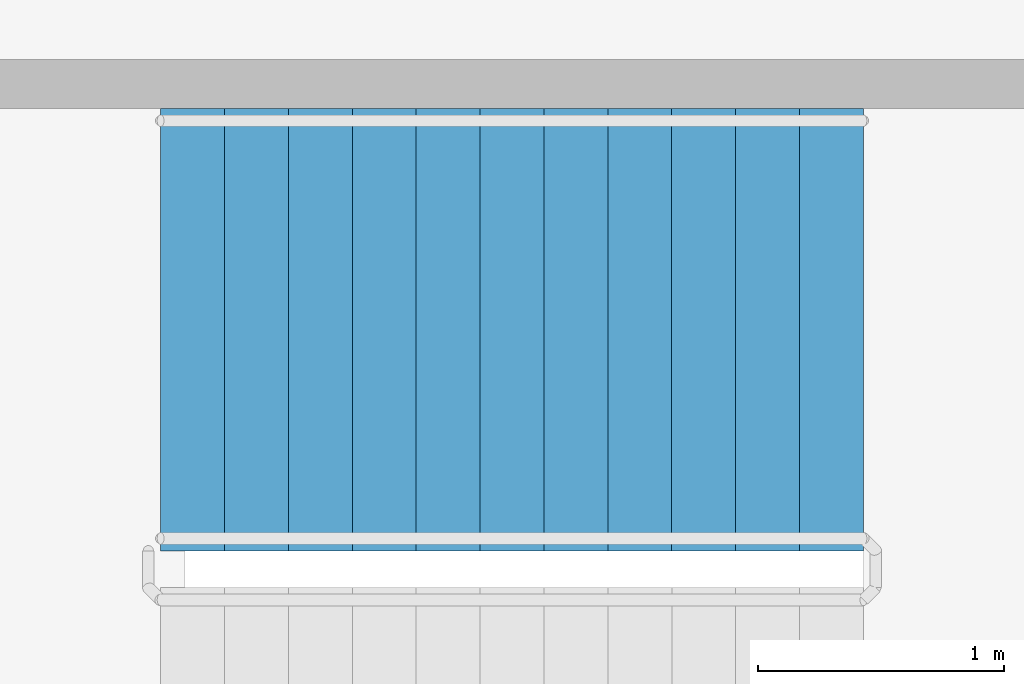
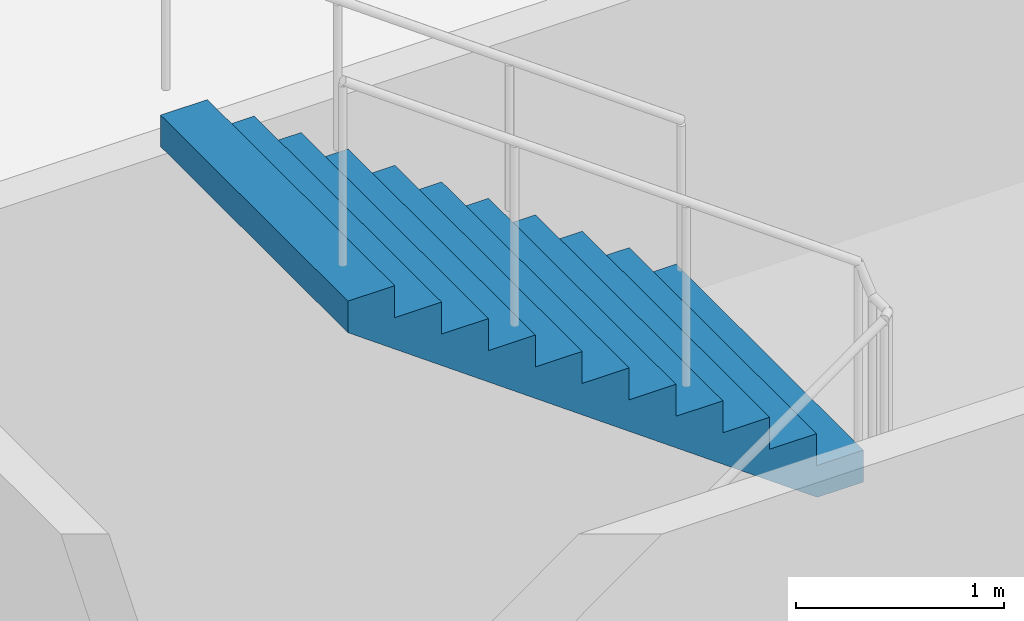
# One storey, part 30 of 49: 1 stair flight, 1 element without a shape of its own.
"""IFC4 building model written with IfcOpenShell, lengths in metres."""

from ifc_helpers import new_model, si_unit, direction, frame, origin, place, context, subcontext, project, spatial, faceted_brep, material, type_object, element, aggregate, save


model = new_model("IFC4")

# Units and contexts
model_context = context("Model", 3, precision=1e-05, world=origin(), true_north=direction((0.0, 1.0)))
body_context = subcontext(model_context, "Body", "Model", "MODEL_VIEW")
ifc_project = project(units=[si_unit("LENGTHUNIT", "METRE"), si_unit("AREAUNIT", "SQUARE_METRE"), si_unit("VOLUMEUNIT", "CUBIC_METRE"), si_unit("PLANEANGLEUNIT", "RADIAN"), si_unit("MASSUNIT", "GRAM", prefix="KILO")], contexts=[model_context])

# Site, building, storey
site_placement = place(None, origin())
site = spatial("IfcSite", under=ifc_project, at=site_placement, CompositionType="ELEMENT")
building_placement = place(site_placement, origin())
building = spatial("IfcBuilding", under=site, at=building_placement, Name="Ipe Terrace Towers", CompositionType="ELEMENT")
storey_placement = place(building_placement, frame((0.0, 0.0, 20.0)))
storey = spatial("IfcBuildingStorey", under=building, at=storey_placement, Name="L04", CompositionType="ELEMENT", Elevation=20.0)

# Stair, stair flight
ifc_material_1 = material(Name="Concrete C30/37", Category="concrete")
stair_type = type_object("IfcStairType", Name="Protected exit stair", PredefinedType="HALF_TURN_STAIR", material=ifc_material_1)
stair_placement = place(storey_placement, origin())
stair = element("IfcStair", 1, at=stair_placement, inside=storey, type_object=stair_type, Name="L04 Podium exit stair PS7", PredefinedType="HALF_TURN_STAIR")
ifc_material_2 = material(Name="Concrete C30/37", Category="concrete")
stair_flight_type = type_object("IfcStairFlightType", Name="Exit stair flight 1800", PredefinedType="STRAIGHT", material=ifc_material_2)
stair_flight_placement = place(storey_placement, frame((-63.330078125, 4.449951171875, 2.25), z_axis=(0.0, 0.0, 1.0), x_axis=(-1.0, 0.0, 0.0)))
stair_flight = element("IfcStairFlight", 2, at=stair_flight_placement, type_object=stair_flight_type, Name="PS7 flight 2", NumberOfRisers=12, NumberOfTreads=11, PredefinedType="STRAIGHT", RiserHeight=0.1875, TreadLength=0.26, context=body_context, shape_type="Brep", body=[
    faceted_brep([(0.25634765625, -0.89990234375, 0.0), (2.860107421875, -0.89990234375, 1.877685546875), (2.860107421875, -0.89990234375, 2.0625), (2.60009765625, -0.89990234375, 2.0625), (2.60009765625, -0.89990234375, 1.875), (2.340087890625, -0.89990234375, 1.875), (2.340087890625, -0.89990234375, 1.6875), (2.080078125, -0.89990234375, 1.6875), (2.080078125, -0.89990234375, 1.5), (1.820068359375, -0.89990234375, 1.5), (1.820068359375, -0.89990234375, 1.3125), (1.56005859375, -0.89990234375, 1.3125), (1.56005859375, -0.89990234375, 1.125), (1.300048828125, -0.89990234375, 1.125), (1.300048828125, -0.89990234375, 0.9375), (1.0400390625, -0.89990234375, 0.9375), (1.0400390625, -0.89990234375, 0.75), (0.780029296875, -0.89990234375, 0.75), (0.780029296875, -0.89990234375, 0.5625), (0.52001953125, -0.89990234375, 0.5625), (0.52001953125, -0.89990234375, 0.375), (0.260009765625, -0.89990234375, 0.375), (0.260009765625, -0.89990234375, 0.1875), (0.0, -0.89990234375, 0.1875), (0.0, -0.89990234375, 0.0), (0.0, 0.89990234375, 0.0), (0.0, 0.89990234375, 0.1875), (0.260009765625, 0.89990234375, 0.1875), (0.260009765625, 0.89990234375, 0.375), (0.52001953125, 0.89990234375, 0.375), (0.52001953125, 0.89990234375, 0.5625), (0.780029296875, 0.89990234375, 0.5625), (0.780029296875, 0.89990234375, 0.75), (1.0400390625, 0.89990234375, 0.75), (1.0400390625, 0.89990234375, 0.9375), (1.300048828125, 0.89990234375, 0.9375), (1.300048828125, 0.89990234375, 1.125), (1.56005859375, 0.89990234375, 1.125), (1.56005859375, 0.89990234375, 1.3125), (1.820068359375, 0.89990234375, 1.3125), (1.820068359375, 0.89990234375, 1.5), (2.080078125, 0.89990234375, 1.5), (2.080078125, 0.89990234375, 1.6875), (2.340087890625, 0.89990234375, 1.6875), (2.340087890625, 0.89990234375, 1.875), (2.60009765625, 0.89990234375, 1.875), (2.60009765625, 0.89990234375, 2.0625), (2.860107421875, 0.89990234375, 2.0625), (2.860107421875, 0.89990234375, 1.877685546875), (0.25634765625, 0.89990234375, 0.0), (0.0, -0.300048828125, 0.1875), (0.0, -0.1201171875, 0.1875), (0.0, -0.06005859375, 0.1875), (0.0, -0.030029296875, 0.1875), (0.0, -0.010009765625, 0.1875), (0.0, 0.0, 0.1875), (0.0, 0.010009765625, 0.1875), (0.0, 0.030029296875, 0.1875), (0.0, 0.06005859375, 0.1875), (0.0, 0.1201171875, 0.1875), (0.0, 0.300048828125, 0.1875), (0.0, 0.300048828125, 0.0), (0.0, 0.1201171875, 0.0), (0.0, 0.06005859375, 0.0), (0.0, 0.030029296875, 0.0), (0.0, 0.010009765625, 0.0), (0.0, 0.0, 0.0), (0.0, -0.010009765625, 0.0), (0.0, -0.030029296875, 0.0), (0.0, -0.06005859375, 0.0), (0.0, -0.1201171875, 0.0), (0.0, -0.300048828125, 0.0), (0.260009765625, -0.300048828125, 0.1875), (0.260009765625, -0.1201171875, 0.1875), (0.260009765625, -0.06005859375, 0.1875), (0.260009765625, -0.030029296875, 0.1875), (0.260009765625, -0.010009765625, 0.1875), (0.260009765625, 0.0, 0.1875), (0.260009765625, 0.010009765625, 0.1875), (0.260009765625, 0.030029296875, 0.1875), (0.260009765625, 0.06005859375, 0.1875), (0.260009765625, 0.1201171875, 0.1875), (0.260009765625, 0.300048828125, 0.1875), (0.260009765625, -0.300048828125, 0.375), (0.260009765625, -0.1201171875, 0.375), (0.260009765625, -0.06005859375, 0.375), (0.260009765625, -0.030029296875, 0.375), (0.260009765625, -0.010009765625, 0.375), (0.260009765625, 0.0, 0.375), (0.260009765625, 0.010009765625, 0.375), (0.260009765625, 0.030029296875, 0.375), (0.260009765625, 0.06005859375, 0.375), (0.260009765625, 0.1201171875, 0.375), (0.260009765625, 0.300048828125, 0.375), (0.52001953125, -0.300048828125, 0.375), (0.52001953125, -0.1201171875, 0.375), (0.52001953125, -0.06005859375, 0.375), (0.52001953125, -0.030029296875, 0.375), (0.52001953125, -0.010009765625, 0.375), (0.52001953125, 0.0, 0.375), (0.52001953125, 0.010009765625, 0.375), (0.52001953125, 0.030029296875, 0.375), (0.52001953125, 0.06005859375, 0.375), (0.52001953125, 0.1201171875, 0.375), (0.52001953125, 0.300048828125, 0.375), (0.52001953125, -0.300048828125, 0.5625), (0.52001953125, -0.1201171875, 0.5625), (0.52001953125, -0.06005859375, 0.5625), (0.52001953125, -0.030029296875, 0.5625), (0.52001953125, -0.010009765625, 0.5625), (0.52001953125, 0.0, 0.5625), (0.52001953125, 0.010009765625, 0.5625), (0.52001953125, 0.030029296875, 0.5625), (0.52001953125, 0.06005859375, 0.5625), (0.52001953125, 0.1201171875, 0.5625), (0.52001953125, 0.300048828125, 0.5625), (0.780029296875, -0.300048828125, 0.5625), (0.780029296875, -0.1201171875, 0.5625), (0.780029296875, -0.06005859375, 0.5625), (0.780029296875, -0.030029296875, 0.5625), (0.780029296875, -0.010009765625, 0.5625), (0.780029296875, 0.0, 0.5625), (0.780029296875, 0.010009765625, 0.5625), (0.780029296875, 0.030029296875, 0.5625), (0.780029296875, 0.06005859375, 0.5625), (0.780029296875, 0.1201171875, 0.5625), (0.780029296875, 0.300048828125, 0.5625), (0.780029296875, -0.300048828125, 0.75), (0.780029296875, -0.1201171875, 0.75), (0.780029296875, -0.06005859375, 0.75), (0.780029296875, -0.030029296875, 0.75), (0.780029296875, -0.010009765625, 0.75), (0.780029296875, 0.0, 0.75), (0.780029296875, 0.010009765625, 0.75), (0.780029296875, 0.030029296875, 0.75), (0.780029296875, 0.06005859375, 0.75), (0.780029296875, 0.1201171875, 0.75), (0.780029296875, 0.300048828125, 0.75), (1.0400390625, -0.300048828125, 0.75), (1.0400390625, -0.1201171875, 0.75), (1.0400390625, -0.06005859375, 0.75), (1.0400390625, -0.030029296875, 0.75), (1.0400390625, -0.010009765625, 0.75), (1.0400390625, 0.0, 0.75), (1.0400390625, 0.010009765625, 0.75), (1.0400390625, 0.030029296875, 0.75), (1.0400390625, 0.06005859375, 0.75), (1.0400390625, 0.1201171875, 0.75), (1.0400390625, 0.300048828125, 0.75), (1.0400390625, -0.300048828125, 0.9375), (1.0400390625, -0.1201171875, 0.9375), (1.0400390625, -0.06005859375, 0.9375), (1.0400390625, -0.030029296875, 0.9375), (1.0400390625, -0.010009765625, 0.9375), (1.0400390625, 0.0, 0.9375), (1.0400390625, 0.010009765625, 0.9375), (1.0400390625, 0.030029296875, 0.9375), (1.0400390625, 0.06005859375, 0.9375), (1.0400390625, 0.1201171875, 0.9375), (1.0400390625, 0.300048828125, 0.9375), (1.300048828125, -0.300048828125, 0.9375), (1.300048828125, -0.1201171875, 0.9375), (1.300048828125, -0.06005859375, 0.9375), (1.300048828125, -0.030029296875, 0.9375), (1.300048828125, -0.010009765625, 0.9375), (1.300048828125, 0.0, 0.9375), (1.300048828125, 0.010009765625, 0.9375), (1.300048828125, 0.030029296875, 0.9375), (1.300048828125, 0.06005859375, 0.9375), (1.300048828125, 0.1201171875, 0.9375), (1.300048828125, 0.300048828125, 0.9375), (1.300048828125, -0.300048828125, 1.125), (1.300048828125, -0.1201171875, 1.125), (1.300048828125, -0.06005859375, 1.125), (1.300048828125, -0.030029296875, 1.125), (1.300048828125, -0.010009765625, 1.125), (1.300048828125, 0.0, 1.125), (1.300048828125, 0.010009765625, 1.125), (1.300048828125, 0.030029296875, 1.125), (1.300048828125, 0.06005859375, 1.125), (1.300048828125, 0.1201171875, 1.125), (1.300048828125, 0.300048828125, 1.125), (1.56005859375, -0.300048828125, 1.125), (1.56005859375, -0.1201171875, 1.125), (1.56005859375, -0.06005859375, 1.125), (1.56005859375, -0.030029296875, 1.125), (1.56005859375, -0.010009765625, 1.125), (1.56005859375, 0.0, 1.125), (1.56005859375, 0.010009765625, 1.125), (1.56005859375, 0.030029296875, 1.125), (1.56005859375, 0.06005859375, 1.125), (1.56005859375, 0.1201171875, 1.125), (1.56005859375, 0.300048828125, 1.125), (1.56005859375, -0.300048828125, 1.3125), (1.56005859375, -0.1201171875, 1.3125), (1.56005859375, -0.06005859375, 1.3125), (1.56005859375, -0.030029296875, 1.3125), (1.56005859375, -0.010009765625, 1.3125), (1.56005859375, 0.0, 1.3125), (1.56005859375, 0.010009765625, 1.3125), (1.56005859375, 0.030029296875, 1.3125), (1.56005859375, 0.06005859375, 1.3125), (1.56005859375, 0.1201171875, 1.3125), (1.56005859375, 0.300048828125, 1.3125), (1.820068359375, -0.300048828125, 1.3125), (1.820068359375, -0.1201171875, 1.3125), (1.820068359375, -0.06005859375, 1.3125), (1.820068359375, -0.030029296875, 1.3125), (1.820068359375, -0.010009765625, 1.3125), (1.820068359375, 0.0, 1.3125), (1.820068359375, 0.010009765625, 1.3125), (1.820068359375, 0.030029296875, 1.3125), (1.820068359375, 0.06005859375, 1.3125), (1.820068359375, 0.1201171875, 1.3125), (1.820068359375, 0.300048828125, 1.3125), (1.820068359375, -0.300048828125, 1.5), (1.820068359375, -0.1201171875, 1.5), (1.820068359375, -0.06005859375, 1.5), (1.820068359375, -0.030029296875, 1.5), (1.820068359375, -0.010009765625, 1.5), (1.820068359375, 0.0, 1.5), (1.820068359375, 0.010009765625, 1.5), (1.820068359375, 0.030029296875, 1.5), (1.820068359375, 0.06005859375, 1.5), (1.820068359375, 0.1201171875, 1.5), (1.820068359375, 0.300048828125, 1.5), (2.080078125, -0.300048828125, 1.5), (2.080078125, -0.1201171875, 1.5), (2.080078125, -0.06005859375, 1.5), (2.080078125, -0.030029296875, 1.5), (2.080078125, -0.010009765625, 1.5), (2.080078125, 0.0, 1.5), (2.080078125, 0.010009765625, 1.5), (2.080078125, 0.030029296875, 1.5), (2.080078125, 0.06005859375, 1.5), (2.080078125, 0.1201171875, 1.5), (2.080078125, 0.300048828125, 1.5), (2.080078125, -0.300048828125, 1.6875), (2.080078125, -0.1201171875, 1.6875), (2.080078125, -0.06005859375, 1.6875), (2.080078125, -0.030029296875, 1.6875), (2.080078125, -0.010009765625, 1.6875), (2.080078125, 0.0, 1.6875), (2.080078125, 0.010009765625, 1.6875), (2.080078125, 0.030029296875, 1.6875), (2.080078125, 0.06005859375, 1.6875), (2.080078125, 0.1201171875, 1.6875), (2.080078125, 0.300048828125, 1.6875), (2.340087890625, -0.300048828125, 1.6875), (2.340087890625, -0.1201171875, 1.6875), (2.340087890625, -0.06005859375, 1.6875), (2.340087890625, -0.030029296875, 1.6875), (2.340087890625, -0.010009765625, 1.6875), (2.340087890625, 0.0, 1.6875), (2.340087890625, 0.010009765625, 1.6875), (2.340087890625, 0.030029296875, 1.6875), (2.340087890625, 0.06005859375, 1.6875), (2.340087890625, 0.1201171875, 1.6875), (2.340087890625, 0.300048828125, 1.6875), (2.340087890625, -0.300048828125, 1.875), (2.340087890625, -0.1201171875, 1.875), (2.340087890625, -0.06005859375, 1.875), (2.340087890625, -0.030029296875, 1.875), (2.340087890625, -0.010009765625, 1.875), (2.340087890625, 0.0, 1.875), (2.340087890625, 0.010009765625, 1.875), (2.340087890625, 0.030029296875, 1.875), (2.340087890625, 0.06005859375, 1.875), (2.340087890625, 0.1201171875, 1.875), (2.340087890625, 0.300048828125, 1.875), (2.60009765625, -0.300048828125, 1.875), (2.60009765625, -0.1201171875, 1.875), (2.60009765625, -0.06005859375, 1.875), (2.60009765625, -0.030029296875, 1.875), (2.60009765625, -0.010009765625, 1.875), (2.60009765625, 0.0, 1.875), (2.60009765625, 0.010009765625, 1.875), (2.60009765625, 0.030029296875, 1.875), (2.60009765625, 0.06005859375, 1.875), (2.60009765625, 0.1201171875, 1.875), (2.60009765625, 0.300048828125, 1.875), (2.60009765625, -0.300048828125, 2.0625), (2.60009765625, -0.1201171875, 2.0625), (2.60009765625, -0.06005859375, 2.0625), (2.60009765625, -0.030029296875, 2.0625), (2.60009765625, -0.010009765625, 2.0625), (2.60009765625, 0.0, 2.0625), (2.60009765625, 0.010009765625, 2.0625), (2.60009765625, 0.030029296875, 2.0625), (2.60009765625, 0.06005859375, 2.0625), (2.60009765625, 0.1201171875, 2.0625), (2.60009765625, 0.300048828125, 2.0625), (2.860107421875, -0.300048828125, 2.0625), (2.860107421875, -0.1201171875, 2.0625), (2.860107421875, -0.06005859375, 2.0625), (2.860107421875, -0.030029296875, 2.0625), (2.860107421875, -0.010009765625, 2.0625), (2.860107421875, 0.0, 2.0625), (2.860107421875, 0.010009765625, 2.0625), (2.860107421875, 0.030029296875, 2.0625), (2.860107421875, 0.06005859375, 2.0625), (2.860107421875, 0.1201171875, 2.0625), (2.860107421875, 0.300048828125, 2.0625), (2.860107421875, -0.300048828125, 1.877685546875), (2.860107421875, -0.1201171875, 1.877685546875), (2.860107421875, -0.06005859375, 1.877685546875), (2.860107421875, -0.030029296875, 1.877685546875), (2.860107421875, -0.010009765625, 1.877685546875), (2.860107421875, 0.0, 1.877685546875), (2.860107421875, 0.010009765625, 1.877685546875), (2.860107421875, 0.030029296875, 1.877685546875), (2.860107421875, 0.06005859375, 1.877685546875), (2.860107421875, 0.1201171875, 1.877685546875), (2.860107421875, 0.300048828125, 1.877685546875), (0.25634765625, -0.300048828125, 0.0), (0.25634765625, -0.1201171875, 0.0), (0.25634765625, -0.06005859375, 0.0), (0.25634765625, -0.030029296875, 0.0), (0.25634765625, -0.010009765625, 0.0), (0.25634765625, 0.0, 0.0), (0.25634765625, 0.010009765625, 0.0), (0.25634765625, 0.030029296875, 0.0), (0.25634765625, 0.06005859375, 0.0), (0.25634765625, 0.1201171875, 0.0), (0.25634765625, 0.300048828125, 0.0)], [[[0, 1, 2, 3, 4, 5, 6, 7, 8, 9, 10, 11, 12, 13, 14, 15, 16, 17, 18, 19, 20, 21, 22, 23, 24]], [[25, 26, 27, 28, 29, 30, 31, 32, 33, 34, 35, 36, 37, 38, 39, 40, 41, 42, 43, 44, 45, 46, 47, 48, 49]], [[23, 50, 51, 52, 53, 54, 55, 56, 57, 58, 59, 60, 26, 25, 61, 62, 63, 64, 65, 66, 67, 68, 69, 70, 71, 24]], [[22, 72, 73, 74, 75, 76, 77, 78, 79, 80, 81, 82, 27, 26, 60, 59, 58, 57, 56, 55, 54, 53, 52, 51, 50, 23]], [[21, 83, 84, 85, 86, 87, 88, 89, 90, 91, 92, 93, 28, 27, 82, 81, 80, 79, 78, 77, 76, 75, 74, 73, 72, 22]], [[20, 94, 95, 96, 97, 98, 99, 100, 101, 102, 103, 104, 29, 28, 93, 92, 91, 90, 89, 88, 87, 86, 85, 84, 83, 21]], [[19, 105, 106, 107, 108, 109, 110, 111, 112, 113, 114, 115, 30, 29, 104, 103, 102, 101, 100, 99, 98, 97, 96, 95, 94, 20]], [[18, 116, 117, 118, 119, 120, 121, 122, 123, 124, 125, 126, 31, 30, 115, 114, 113, 112, 111, 110, 109, 108, 107, 106, 105, 19]], [[17, 127, 128, 129, 130, 131, 132, 133, 134, 135, 136, 137, 32, 31, 126, 125, 124, 123, 122, 121, 120, 119, 118, 117, 116, 18]], [[16, 138, 139, 140, 141, 142, 143, 144, 145, 146, 147, 148, 33, 32, 137, 136, 135, 134, 133, 132, 131, 130, 129, 128, 127, 17]], [[15, 149, 150, 151, 152, 153, 154, 155, 156, 157, 158, 159, 34, 33, 148, 147, 146, 145, 144, 143, 142, 141, 140, 139, 138, 16]], [[14, 160, 161, 162, 163, 164, 165, 166, 167, 168, 169, 170, 35, 34, 159, 158, 157, 156, 155, 154, 153, 152, 151, 150, 149, 15]], [[13, 171, 172, 173, 174, 175, 176, 177, 178, 179, 180, 181, 36, 35, 170, 169, 168, 167, 166, 165, 164, 163, 162, 161, 160, 14]], [[12, 182, 183, 184, 185, 186, 187, 188, 189, 190, 191, 192, 37, 36, 181, 180, 179, 178, 177, 176, 175, 174, 173, 172, 171, 13]], [[11, 193, 194, 195, 196, 197, 198, 199, 200, 201, 202, 203, 38, 37, 192, 191, 190, 189, 188, 187, 186, 185, 184, 183, 182, 12]], [[10, 204, 205, 206, 207, 208, 209, 210, 211, 212, 213, 214, 39, 38, 203, 202, 201, 200, 199, 198, 197, 196, 195, 194, 193, 11]], [[9, 215, 216, 217, 218, 219, 220, 221, 222, 223, 224, 225, 40, 39, 214, 213, 212, 211, 210, 209, 208, 207, 206, 205, 204, 10]], [[8, 226, 227, 228, 229, 230, 231, 232, 233, 234, 235, 236, 41, 40, 225, 224, 223, 222, 221, 220, 219, 218, 217, 216, 215, 9]], [[7, 237, 238, 239, 240, 241, 242, 243, 244, 245, 246, 247, 42, 41, 236, 235, 234, 233, 232, 231, 230, 229, 228, 227, 226, 8]], [[6, 248, 249, 250, 251, 252, 253, 254, 255, 256, 257, 258, 43, 42, 247, 246, 245, 244, 243, 242, 241, 240, 239, 238, 237, 7]], [[5, 259, 260, 261, 262, 263, 264, 265, 266, 267, 268, 269, 44, 43, 258, 257, 256, 255, 254, 253, 252, 251, 250, 249, 248, 6]], [[4, 270, 271, 272, 273, 274, 275, 276, 277, 278, 279, 280, 45, 44, 269, 268, 267, 266, 265, 264, 263, 262, 261, 260, 259, 5]], [[3, 281, 282, 283, 284, 285, 286, 287, 288, 289, 290, 291, 46, 45, 280, 279, 278, 277, 276, 275, 274, 273, 272, 271, 270, 4]], [[2, 292, 293, 294, 295, 296, 297, 298, 299, 300, 301, 302, 47, 46, 291, 290, 289, 288, 287, 286, 285, 284, 283, 282, 281, 3]], [[1, 303, 304, 305, 306, 307, 308, 309, 310, 311, 312, 313, 48, 47, 302, 301, 300, 299, 298, 297, 296, 295, 294, 293, 292, 2]], [[0, 314, 315, 316, 317, 318, 319, 320, 321, 322, 323, 324, 49, 48, 313, 312, 311, 310, 309, 308, 307, 306, 305, 304, 303, 1]], [[24, 71, 70, 69, 68, 67, 66, 65, 64, 63, 62, 61, 25, 49, 324, 323, 322, 321, 320, 319, 318, 317, 316, 315, 314, 0]]]),
])
aggregate(stair, [stair_flight])

save(model, "model.ifc")
